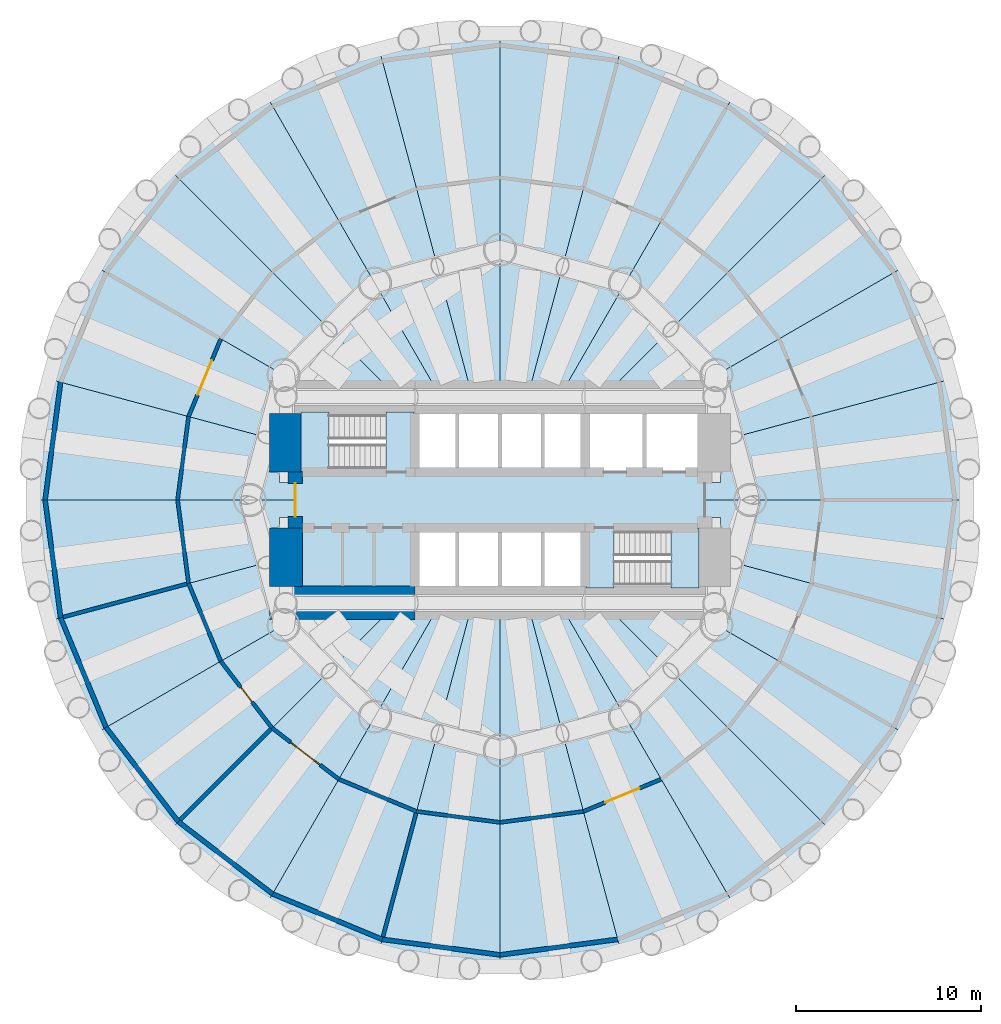
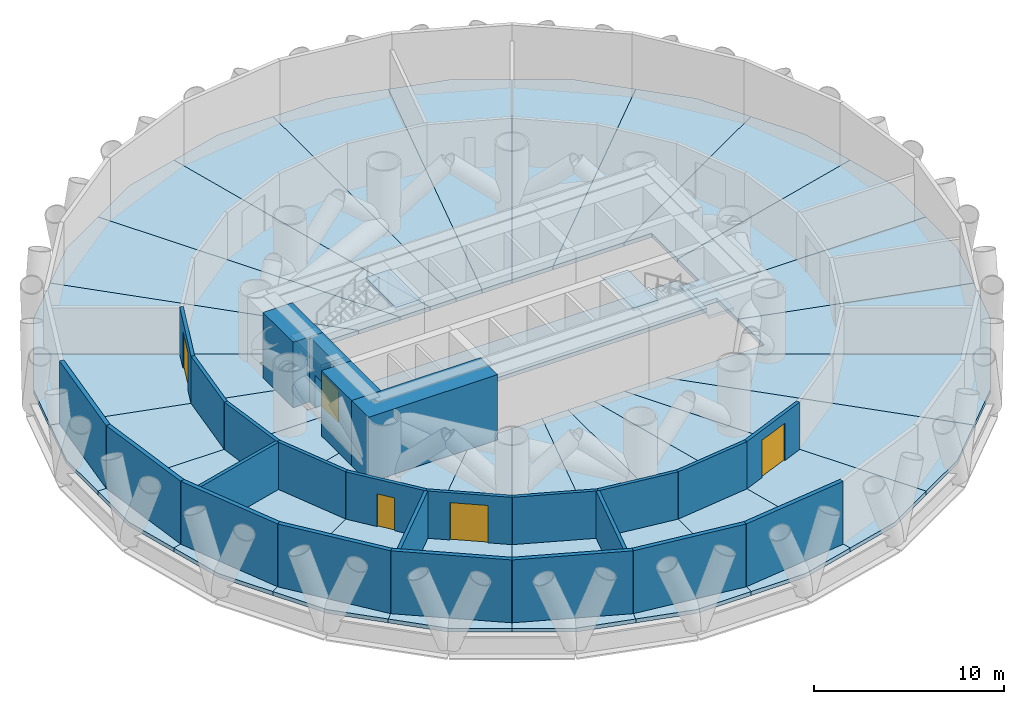
# One storey, part 4 of 7: 29 slabs, 25 walls, 5 doors, 5 openings, 2 elements without a shape of their own.
"""IFC4 building model written with IfcOpenShell, lengths in metres."""

from ifc_helpers import new_model, si_unit, direction, frame, frame_2d, origin, place, context, subcontext, project, spatial, polyline, rectangle, outline, extrude, material, layer, layer_set, type_object, element, fill, aggregate, save


model = new_model("IFC4")

# Units and contexts
model_context = context("Model", 3, precision=1e-05, world=origin(), true_north=direction((0.0, 1.0)))
body_context = subcontext(model_context, "Body", "Model", "MODEL_VIEW")
ifc_project = project(units=[si_unit("LENGTHUNIT", "METRE"), si_unit("AREAUNIT", "SQUARE_METRE"), si_unit("VOLUMEUNIT", "CUBIC_METRE"), si_unit("PLANEANGLEUNIT", "RADIAN"), si_unit("MASSUNIT", "GRAM", prefix="KILO")], contexts=[model_context])

# Site, building, storey
site_placement = place(None, origin())
site = spatial("IfcSite", under=ifc_project, at=site_placement, CompositionType="ELEMENT")
building_placement = place(site_placement, origin())
building = spatial("IfcBuilding", under=site, at=building_placement, Name="Qaws Media Tower", CompositionType="ELEMENT")
storey_placement = place(building_placement, frame((0.0, 0.0, 101.60009765625)))
storey = spatial("IfcBuildingStorey", under=building, at=storey_placement, Name="L22", CompositionType="ELEMENT", Elevation=101.60009765625)

# Slabs
ifc_material_1 = material(Name="Concrete C40/50", Category="concrete")
ifc_layer_1 = layer(ifc_material_1, 0.25)
ifc_layer_set_1 = layer_set([ifc_layer_1], Name="Plant floor slab 250")
slab_type_1 = type_object("IfcSlabType", Name="Plant floor slab 250", PredefinedType="FLOOR", material=ifc_layer_set_1)
slab_1_placement = place(storey_placement, frame((0.0, 0.0, -0.25)))
element("IfcSlab", 1, at=slab_1_placement, inside=storey, type_object=slab_type_1, Name="S7 core floor slab L22", PredefinedType="FLOOR", context=body_context, shape_type="SweptSolid", body=[
    extrude(outline(polyline([(71.0, 51.5), (71.0, 48.5), (55.39990234375, 48.5), (55.39990234375, 45.0), (49.0, 45.0), (49.0, 51.5), (71.0, 51.5)])), origin(), (0.0, 0.0, 1.0), 0.25),
])
slab_2_placement = place(storey_placement, frame((0.0, 0.0, -0.25)))
element("IfcSlab", 2, at=slab_2_placement, inside=storey, type_object=slab_type_1, Name="S7 floor panel L22 on R01+7.5", PredefinedType="FLOOR", context=body_context, shape_type="SweptSolid", body=[
    extrude(outline(polyline([(85.1826171875, 53.3154296875), (85.1826171875, 50.0), (71.0, 50.0), (71.0, 50.949951171875), (71.909912109375, 50.949951171875), (71.909912109375, 53.19140625), (84.32470703125, 56.517822265625), (85.1826171875, 53.3154296875)])), origin(), (0.0, 0.0, 1.0), 0.25),
])
slab_3_placement = place(storey_placement, frame((0.0, 0.0, -0.25)))
element("IfcSlab", 3, at=slab_3_placement, inside=storey, type_object=slab_type_1, Name="S7 floor panel L22 on R02+7.5", PredefinedType="FLOOR", context=body_context, shape_type="SweptSolid", body=[
    extrude(outline(polyline([(83.466552734375, 59.72021484375), (84.32470703125, 56.517822265625), (71.909912109375, 53.19140625), (71.909912109375, 55.909912109375), (70.236328125, 55.909912109375), (81.808837890625, 62.59130859375), (83.466552734375, 59.72021484375)])), origin(), (0.0, 0.0, 1.0), 0.25),
])
slab_4_placement = place(storey_placement, frame((0.0, 0.0, -0.25)))
element("IfcSlab", 4, at=slab_4_placement, inside=storey, type_object=slab_type_1, Name="S7 floor panel L22 on R03+7.5", PredefinedType="FLOOR", context=body_context, shape_type="SweptSolid", body=[
    extrude(outline(polyline([(80.151123046875, 65.46240234375), (81.808837890625, 62.59130859375), (70.236328125, 55.909912109375), (65.909912109375, 55.909912109375), (77.806884765625, 67.806884765625), (80.151123046875, 65.46240234375)])), origin(), (0.0, 0.0, 1.0), 0.25),
])
slab_5_placement = place(storey_placement, frame((0.0, 0.0, -0.25)))
element("IfcSlab", 5, at=slab_5_placement, inside=storey, type_object=slab_type_1, Name="S7 floor panel L22 on R04+7.5", PredefinedType="FLOOR", context=body_context, shape_type="SweptSolid", body=[
    extrude(outline(polyline([(75.46240234375, 70.151123046875), (77.806884765625, 67.806884765625), (65.909912109375, 55.909912109375), (63.412109375, 55.909912109375), (72.59130859375, 71.808837890625), (75.46240234375, 70.151123046875)])), origin(), (0.0, 0.0, 1.0), 0.25),
])
slab_6_placement = place(storey_placement, frame((0.0, 0.0, -0.25)))
element("IfcSlab", 6, at=slab_6_placement, inside=storey, type_object=slab_type_1, Name="S7 floor panel L22 on R05+7.5", PredefinedType="FLOOR", context=body_context, shape_type="SweptSolid", body=[
    extrude(outline(polyline([(69.72021484375, 73.466552734375), (72.59130859375, 71.808837890625), (63.412109375, 55.909912109375), (61.58349609375, 55.909912109375), (66.517822265625, 74.32470703125), (69.72021484375, 73.466552734375)])), origin(), (0.0, 0.0, 1.0), 0.25),
])
slab_7_placement = place(storey_placement, frame((0.0, 0.0, -0.25)))
element("IfcSlab", 7, at=slab_7_placement, inside=storey, type_object=slab_type_1, Name="S7 floor panel L22 on R06+7.5", PredefinedType="FLOOR", context=body_context, shape_type="SweptSolid", body=[
    extrude(outline(polyline([(63.3154296875, 75.1826171875), (66.517822265625, 74.32470703125), (61.58349609375, 55.909912109375), (60.0, 55.909912109375), (60.0, 75.1826171875), (63.3154296875, 75.1826171875)])), origin(), (0.0, 0.0, 1.0), 0.25),
])
slab_8_placement = place(storey_placement, frame((0.0, 0.0, -0.25)))
element("IfcSlab", 8, at=slab_8_placement, inside=storey, type_object=slab_type_1, Name="S7 floor panel L22 on R07+7.5", PredefinedType="FLOOR", context=body_context, shape_type="SweptSolid", body=[
    extrude(outline(polyline([(56.6845703125, 75.1826171875), (60.0, 75.1826171875), (60.0, 55.909912109375), (58.41650390625, 55.909912109375), (53.482177734375, 74.32470703125), (56.6845703125, 75.1826171875)])), origin(), (0.0, 0.0, 1.0), 0.25),
])
slab_9_placement = place(storey_placement, frame((0.0, 0.0, -0.25)))
element("IfcSlab", 9, at=slab_9_placement, inside=storey, type_object=slab_type_1, Name="S7 floor panel L22 on R08+7.5", PredefinedType="FLOOR", context=body_context, shape_type="SweptSolid", body=[
    extrude(outline(polyline([(50.27978515625, 73.466552734375), (53.482177734375, 74.32470703125), (58.41650390625, 55.909912109375), (56.587890625, 55.909912109375), (47.40869140625, 71.808837890625), (50.27978515625, 73.466552734375)])), origin(), (0.0, 0.0, 1.0), 0.25),
])
slab_10_placement = place(storey_placement, frame((0.0, 0.0, -0.25)))
element("IfcSlab", 10, at=slab_10_placement, inside=storey, type_object=slab_type_1, Name="S7 floor panel L22 on R09+7.5", PredefinedType="FLOOR", context=body_context, shape_type="SweptSolid", body=[
    extrude(outline(polyline([(44.53759765625, 70.151123046875), (47.40869140625, 71.808837890625), (56.587890625, 55.909912109375), (54.090087890625, 55.909912109375), (42.193115234375, 67.806884765625), (44.53759765625, 70.151123046875)])), origin(), (0.0, 0.0, 1.0), 0.25),
])
slab_11_placement = place(storey_placement, frame((0.0, 0.0, -0.25)))
element("IfcSlab", 11, at=slab_11_placement, inside=storey, type_object=slab_type_1, Name="S7 floor panel L22 on R10+7.5", PredefinedType="FLOOR", context=body_context, shape_type="SweptSolid", body=[
    extrude(outline(polyline([(39.848876953125, 65.46240234375), (42.193115234375, 67.806884765625), (54.090087890625, 55.909912109375), (49.763671875, 55.909912109375), (38.191162109375, 62.59130859375), (39.848876953125, 65.46240234375)])), origin(), (0.0, 0.0, 1.0), 0.25),
])
slab_12_placement = place(storey_placement, frame((0.0, 0.0, -0.25)))
element("IfcSlab", 12, at=slab_12_placement, inside=storey, type_object=slab_type_1, Name="S7 floor panel L22 on R11+7.5", PredefinedType="FLOOR", context=body_context, shape_type="SweptSolid", body=[
    extrude(outline(polyline([(36.533447265625, 59.72021484375), (38.191162109375, 62.59130859375), (49.763671875, 55.909912109375), (48.090087890625, 55.909912109375), (48.090087890625, 53.19140625), (35.67529296875, 56.517822265625), (36.533447265625, 59.72021484375)])), origin(), (0.0, 0.0, 1.0), 0.25),
])
slab_13_placement = place(storey_placement, frame((0.0, 0.0, -0.25)))
element("IfcSlab", 13, at=slab_13_placement, inside=storey, type_object=slab_type_1, Name="S7 floor panel L22 on R12+7.5", PredefinedType="FLOOR", context=body_context, shape_type="SweptSolid", body=[
    extrude(outline(polyline([(34.8173828125, 53.3154296875), (35.67529296875, 56.517822265625), (48.090087890625, 53.19140625), (48.090087890625, 50.949951171875), (49.0, 50.949951171875), (49.0, 50.0), (34.8173828125, 50.0), (34.8173828125, 53.3154296875)])), origin(), (0.0, 0.0, 1.0), 0.25),
])
slab_14_placement = place(storey_placement, frame((0.0, 0.0, -0.25)))
element("IfcSlab", 14, at=slab_14_placement, inside=storey, type_object=slab_type_1, Name="S7 floor panel L22 on R13+7.5", PredefinedType="FLOOR", context=body_context, shape_type="SweptSolid", body=[
    extrude(outline(polyline([(34.8173828125, 46.6845703125), (34.8173828125, 50.0), (49.0, 50.0), (49.0, 49.050048828125), (48.090087890625, 49.050048828125), (48.090087890625, 46.80859375), (35.67529296875, 43.482177734375), (34.8173828125, 46.6845703125)])), origin(), (0.0, 0.0, 1.0), 0.25),
])
slab_15_placement = place(storey_placement, frame((0.0, 0.0, -0.25)))
element("IfcSlab", 15, at=slab_15_placement, inside=storey, type_object=slab_type_1, Name="S7 floor panel L22 on R14+7.5", PredefinedType="FLOOR", context=body_context, shape_type="SweptSolid", body=[
    extrude(outline(polyline([(36.533447265625, 40.27978515625), (35.67529296875, 43.482177734375), (48.090087890625, 46.80859375), (48.090087890625, 44.090087890625), (49.763671875, 44.090087890625), (38.191162109375, 37.40869140625), (36.533447265625, 40.27978515625)])), origin(), (0.0, 0.0, 1.0), 0.25),
])
slab_16_placement = place(storey_placement, frame((0.0, 0.0, -0.25)))
element("IfcSlab", 16, at=slab_16_placement, inside=storey, type_object=slab_type_1, Name="S7 floor panel L22 on R15+7.5", PredefinedType="FLOOR", context=body_context, shape_type="SweptSolid", body=[
    extrude(outline(polyline([(39.848876953125, 34.53759765625), (38.191162109375, 37.40869140625), (49.763671875, 44.090087890625), (54.090087890625, 44.090087890625), (42.193115234375, 32.193115234375), (39.848876953125, 34.53759765625)])), origin(), (0.0, 0.0, 1.0), 0.25),
])
slab_17_placement = place(storey_placement, frame((0.0, 0.0, -0.25)))
element("IfcSlab", 17, at=slab_17_placement, inside=storey, type_object=slab_type_1, Name="S7 floor panel L22 on R16+7.5", PredefinedType="FLOOR", context=body_context, shape_type="SweptSolid", body=[
    extrude(outline(polyline([(44.53759765625, 29.848876953125), (42.193115234375, 32.193115234375), (54.090087890625, 44.090087890625), (56.587890625, 44.090087890625), (47.40869140625, 28.191162109375), (44.53759765625, 29.848876953125)])), origin(), (0.0, 0.0, 1.0), 0.25),
])
slab_18_placement = place(storey_placement, frame((0.0, 0.0, -0.25)))
element("IfcSlab", 18, at=slab_18_placement, inside=storey, type_object=slab_type_1, Name="S7 floor panel L22 on R17+7.5", PredefinedType="FLOOR", context=body_context, shape_type="SweptSolid", body=[
    extrude(outline(polyline([(50.27978515625, 26.533447265625), (47.40869140625, 28.191162109375), (56.587890625, 44.090087890625), (58.41650390625, 44.090087890625), (53.482177734375, 25.67529296875), (50.27978515625, 26.533447265625)])), origin(), (0.0, 0.0, 1.0), 0.25),
])
slab_19_placement = place(storey_placement, frame((0.0, 0.0, -0.25)))
element("IfcSlab", 19, at=slab_19_placement, inside=storey, type_object=slab_type_1, Name="S7 floor panel L22 on R18+7.5", PredefinedType="FLOOR", context=body_context, shape_type="SweptSolid", body=[
    extrude(outline(polyline([(56.6845703125, 24.8173828125), (53.482177734375, 25.67529296875), (58.41650390625, 44.090087890625), (60.0, 44.090087890625), (60.0, 24.8173828125), (56.6845703125, 24.8173828125)])), origin(), (0.0, 0.0, 1.0), 0.25),
])
slab_20_placement = place(storey_placement, frame((0.0, 0.0, -0.25)))
element("IfcSlab", 20, at=slab_20_placement, inside=storey, type_object=slab_type_1, Name="S7 floor panel L22 on R19+7.5", PredefinedType="FLOOR", context=body_context, shape_type="SweptSolid", body=[
    extrude(outline(polyline([(63.3154296875, 24.8173828125), (60.0, 24.8173828125), (60.0, 44.090087890625), (61.58349609375, 44.090087890625), (66.517822265625, 25.67529296875), (63.3154296875, 24.8173828125)])), origin(), (0.0, 0.0, 1.0), 0.25),
])
slab_21_placement = place(storey_placement, frame((0.0, 0.0, -0.25)))
element("IfcSlab", 21, at=slab_21_placement, inside=storey, type_object=slab_type_1, Name="S7 floor panel L22 on R20+7.5", PredefinedType="FLOOR", context=body_context, shape_type="SweptSolid", body=[
    extrude(outline(polyline([(69.72021484375, 26.533447265625), (66.517822265625, 25.67529296875), (61.58349609375, 44.090087890625), (63.412109375, 44.090087890625), (72.59130859375, 28.191162109375), (69.72021484375, 26.533447265625)])), origin(), (0.0, 0.0, 1.0), 0.25),
])
slab_22_placement = place(storey_placement, frame((0.0, 0.0, -0.25)))
element("IfcSlab", 22, at=slab_22_placement, inside=storey, type_object=slab_type_1, Name="S7 floor panel L22 on R21+7.5", PredefinedType="FLOOR", context=body_context, shape_type="SweptSolid", body=[
    extrude(outline(polyline([(75.46240234375, 29.848876953125), (72.59130859375, 28.191162109375), (63.412109375, 44.090087890625), (65.909912109375, 44.090087890625), (77.806884765625, 32.193115234375), (75.46240234375, 29.848876953125)])), origin(), (0.0, 0.0, 1.0), 0.25),
])
slab_23_placement = place(storey_placement, frame((0.0, 0.0, -0.25)))
element("IfcSlab", 23, at=slab_23_placement, inside=storey, type_object=slab_type_1, Name="S7 floor panel L22 on R22+7.5", PredefinedType="FLOOR", context=body_context, shape_type="SweptSolid", body=[
    extrude(outline(polyline([(80.151123046875, 34.53759765625), (77.806884765625, 32.193115234375), (65.909912109375, 44.090087890625), (70.236328125, 44.090087890625), (81.808837890625, 37.40869140625), (80.151123046875, 34.53759765625)])), origin(), (0.0, 0.0, 1.0), 0.25),
])
slab_24_placement = place(storey_placement, frame((0.0, 0.0, -0.25)))
element("IfcSlab", 24, at=slab_24_placement, inside=storey, type_object=slab_type_1, Name="S7 floor panel L22 on R23+7.5", PredefinedType="FLOOR", context=body_context, shape_type="SweptSolid", body=[
    extrude(outline(polyline([(81.808837890625, 37.40869140625), (70.236328125, 44.090087890625), (71.909912109375, 44.090087890625), (71.909912109375, 46.80859375), (84.32470703125, 43.482177734375), (83.466552734375, 40.27978515625), (81.808837890625, 37.40869140625)])), origin(), (0.0, 0.0, 1.0), 0.25),
])
slab_25_placement = place(storey_placement, frame((0.0, 0.0, -0.25)))
element("IfcSlab", 25, at=slab_25_placement, inside=storey, type_object=slab_type_1, Name="S7 floor panel L22 on R24+7.5", PredefinedType="FLOOR", context=body_context, shape_type="SweptSolid", body=[
    extrude(outline(polyline([(85.1826171875, 46.6845703125), (84.32470703125, 43.482177734375), (71.909912109375, 46.80859375), (71.909912109375, 49.050048828125), (71.0, 49.050048828125), (71.0, 50.0), (85.1826171875, 50.0), (85.1826171875, 46.6845703125)])), origin(), (0.0, 0.0, 1.0), 0.25),
])

# Stair, slabs
ifc_material_2 = material(Name="Concrete C40/50", Category="concrete")
stair_type = type_object("IfcStairType", Name="Exit stair", PredefinedType="HALF_TURN_STAIR", material=ifc_material_2)
stair_1_placement = place(storey_placement, origin())
stair_1 = element("IfcStair", 26, at=stair_1_placement, inside=storey, type_object=stair_type, Name="S1 exit stair L22", PredefinedType="HALF_TURN_STAIR")
ifc_material_3 = material(Name="Concrete C40/50", Category="concrete")
ifc_layer_2 = layer(ifc_material_3, 0.199951171875)
ifc_layer_set_2 = layer_set([ifc_layer_2], Name="Stair landing 200")
slab_type_2 = type_object("IfcSlabType", Name="Stair landing 200", PredefinedType="LANDING", material=ifc_layer_set_2)
slab_26_placement = place(storey_placement, frame((0.0, 0.0, 1.89990234375)))
slab_26 = element("IfcSlab", 27, at=slab_26_placement, type_object=slab_type_2, Name="S1 landing 1", PredefinedType="LANDING", context=body_context, shape_type="SweptSolid", body=[
    extrude(outline(polyline([(49.25, 51.550048828125), (50.760009765625, 51.550048828125), (50.760009765625, 54.75), (49.25, 54.75), (49.25, 51.550048828125)])), origin(), (0.0, 0.0, 1.0), 0.199951171875),
])
slab_27_placement = place(storey_placement, frame((0.0, 0.0, 4.0)))
slab_27 = element("IfcSlab", 28, at=slab_27_placement, type_object=slab_type_2, Name="S1 landing 2", PredefinedType="LANDING", context=body_context, shape_type="SweptSolid", body=[
    extrude(outline(polyline([(53.840087890625, 51.550048828125), (55.35009765625, 51.550048828125), (55.35009765625, 54.75), (53.840087890625, 54.75), (53.840087890625, 51.550048828125)])), origin(), (0.0, 0.0, 1.0), 0.199951171875),
])
aggregate(stair_1, [slab_26, slab_27])

stair_2_placement = place(storey_placement, origin())
stair_2 = element("IfcStair", 29, at=stair_2_placement, inside=storey, type_object=stair_type, Name="S2 exit stair L22", PredefinedType="HALF_TURN_STAIR")
slab_28_placement = place(storey_placement, frame((0.0, 0.0, 1.89990234375)))
slab_28 = element("IfcSlab", 30, at=slab_28_placement, type_object=slab_type_2, Name="S2 landing 1", PredefinedType="LANDING", context=body_context, shape_type="SweptSolid", body=[
    extrude(outline(polyline([(69.239990234375, 45.25), (70.75, 45.25), (70.75, 48.449951171875), (69.239990234375, 48.449951171875), (69.239990234375, 45.25)])), origin(), (0.0, 0.0, 1.0), 0.199951171875),
])
slab_29_placement = place(storey_placement, frame((0.0, 0.0, 4.0)))
slab_29 = element("IfcSlab", 31, at=slab_29_placement, type_object=slab_type_2, Name="S2 landing 2", PredefinedType="LANDING", context=body_context, shape_type="SweptSolid", body=[
    extrude(outline(polyline([(64.64990234375, 45.25), (66.159912109375, 45.25), (66.159912109375, 48.449951171875), (64.64990234375, 48.449951171875), (64.64990234375, 45.25)])), origin(), (0.0, 0.0, 1.0), 0.199951171875),
])
aggregate(stair_2, [slab_28, slab_29])

# Walls
ifc_material_4 = material(Name="Concrete C60/75", Category="concrete")
ifc_layer_3 = layer(ifc_material_4, 1.800048828125)
ifc_layer_set_3 = layer_set([ifc_layer_3], Name="Core wall 1800")
wall_type_1 = type_object("IfcWallType", Name="Core wall 1800", PredefinedType="SHEAR", material=ifc_layer_set_3)
wall_1_placement = place(storey_placement, frame((47.550048828125, 44.449951171875, 0.0), z_axis=(0.0, 0.0, 1.0), x_axis=(1.0, 0.0, 0.0)))
element("IfcWall", 32, at=wall_1_placement, inside=storey, type_object=wall_type_1, Name="W416 SW11 core wall SW L22", PredefinedType="SHEAR", context=body_context, shape_type="SweptSolid", body=[
    extrude(rectangle(XDim=7.849853515625, YDim=1.800048828125, at=frame_2d((3.9248046875, 0.0))), origin(), (0.0, 0.0, 1.0), 4.199951171875),
])
for number, where, z_axis, x_axis, name in (
    (33, (48.449951171875, 45.330078125, 0.0), (0.0, 0.0, 1.0), (0.0, 1.0, 0.0), "W418 SW11 core wall WS L22"),
    (34, (48.449951171875, 51.5, 0.0), (0.0, 0.0, 1.0), (0.0, 1.0, 0.0), "W419 SW11 core wall WN L22"),
):
    element("IfcWall", number, at=place(storey_placement, frame(where, z_axis=z_axis, x_axis=x_axis)), inside=storey, type_object=wall_type_1, Name=name, PredefinedType="SHEAR", context=body_context, shape_type="SweptSolid", body=[
        extrude(rectangle(XDim=3.169921875, YDim=1.800048828125, at=frame_2d((1.5849609375, 0.0))), origin(), (0.0, 0.0, 1.0), 4.199951171875),
    ])

# Wall, opening, door
ifc_material_5 = material(Name="Concrete C60/75", Category="concrete")
ifc_layer_4 = layer(ifc_material_5, 0.800048828125)
ifc_layer_set_4 = layer_set([ifc_layer_4], Name="Core wall 800")
wall_type_2 = type_object("IfcWallType", Name="Core wall 800", PredefinedType="SHEAR", material=ifc_layer_set_4)
wall_2_placement = place(storey_placement, frame((48.949951171875, 48.5, 0.0), z_axis=(0.0, 0.0, 1.0), x_axis=(0.0, 1.0, 0.0)))
wall_2 = element("IfcWall", 35, at=wall_2_placement, inside=storey, type_object=wall_type_2, Name="W438 SW1 core wall W L22", PredefinedType="SHEAR", context=body_context, shape_type="SweptSolid", body=[
    extrude(rectangle(XDim=3.0, YDim=0.800048828125, at=frame_2d((1.5, 0.0))), origin(), (0.0, 0.0, 1.0), 4.199951171875),
])
opening_1_placement = place(wall_2_placement, frame((0.60009765625, 0.0, 0.0)))
opening_1 = element("IfcOpeningElement", 36, at=opening_1_placement, cuts=wall_2, Name="Opening D2", PredefinedType="OPENING", context=body_context, shape_type="SweptSolid", body=[
    extrude(rectangle(XDim=1.800048828125, YDim=2.10009765625, at=frame_2d((0.89990234375, 1.050048828125))), frame((0.0, 0.409912109375, 0.0), z_axis=(0.0, -1.0, 0.0), x_axis=(1.0, 0.0, 0.0)), (0.0, 0.0, 1.0), 0.820068359375),
])
ifc_material_6 = material(Name="Steel and glass, fire rated", Category="steel")
door_type_1 = type_object("IfcDoorType", Name="Lobby door pair 1800 FD60", OperationType="DOUBLE_DOOR_DOUBLE_SWING", PredefinedType="DOOR", material=ifc_material_6)
door_1_placement = place(opening_1_placement, origin())
door_1 = element("IfcDoor", 37, at=door_1_placement, inside=storey, type_object=door_type_1, Name="D2 core lobby door W L22 in wall W438", OperationType="DOUBLE_DOOR_DOUBLE_SWING", OverallHeight=2.10009765625, OverallWidth=1.800048828125, PredefinedType="DOOR", context=body_context, shape_type="SweptSolid", body=[
    extrude(rectangle(XDim=1.800048828125, YDim=2.10009765625, at=frame_2d((0.89990234375, 1.050048828125))), frame((0.0, 0.02490234375, 0.0), z_axis=(0.0, -1.0, 0.0), x_axis=(1.0, 0.0, 0.0)), (0.0, 0.0, 1.0), 0.050048828125),
])
fill(opening_1, door_1)

# Walls
ifc_material_7 = material(Name="Precast concrete louvre panels", Category="concrete")
ifc_layer_5 = layer(ifc_material_7, 0.25)
ifc_layer_set_5 = layer_set([ifc_layer_5], Name="Crown louvre wall 250")
wall_type_3 = type_object("IfcWallType", Name="Crown louvre wall 250", PredefinedType="SOLIDWALL", material=ifc_layer_set_5)
for number, where, z_axis, x_axis, name in (
    (38, (36.28662109375, 56.35400390625, 0.0), (0.0, 0.0, 1.0), (-0.130549112351, -0.991441843612, 0.0), "W444 EW3 louvre wall L22-12"),
    (39, (35.449951171875, 50.0, 0.0), (0.0, 0.0, 1.0), (0.130549112351, -0.991441843612, 0.0), "W442 EW3 louvre wall L22-13"),
):
    element("IfcWall", number, at=place(storey_placement, frame(where, z_axis=z_axis, x_axis=x_axis)), inside=storey, type_object=wall_type_3, Name=name, PredefinedType="SOLIDWALL", context=body_context, shape_type="SweptSolid", body=[
        extrude(rectangle(XDim=6.408935546875, YDim=0.25, at=frame_2d((3.20458984375, 0.0))), origin(), (0.0, 0.0, 1.0), 4.039794921875),
    ])
wall_3_placement = place(storey_placement, frame((36.28662109375, 43.64599609375, 0.0), z_axis=(0.0, 0.0, 1.0), x_axis=(0.382666936286, -0.923886365238, 0.0)))
element("IfcWall", 40, at=wall_3_placement, inside=storey, type_object=wall_type_3, Name="W443 EW3 louvre wall L22-14", PredefinedType="SOLIDWALL", context=body_context, shape_type="SweptSolid", body=[
    extrude(rectangle(XDim=6.40869140625, YDim=0.25, at=frame_2d((3.204345703125, 0.0))), origin(), (0.0, 0.0, 1.0), 4.039794921875),
])
for number, where, z_axis, x_axis, name in (
    (41, (38.739013671875, 37.72509765625, 0.0), (0.0, 0.0, 1.0), (0.608776969285, -0.793341415576, 0.0), "W445 EW3 louvre wall L22-15"),
    (42, (42.640625, 32.640625, 0.0), (0.0, 0.0, 1.0), (0.793341415576, -0.608776969285, 0.0), "W447 EW3 louvre wall L22-16"),
):
    element("IfcWall", number, at=place(storey_placement, frame(where, z_axis=z_axis, x_axis=x_axis)), inside=storey, type_object=wall_type_3, Name=name, PredefinedType="SOLIDWALL", context=body_context, shape_type="SweptSolid", body=[
        extrude(rectangle(XDim=6.408935546875, YDim=0.25, at=frame_2d((3.20458984375, 0.0))), origin(), (0.0, 0.0, 1.0), 4.039794921875),
    ])
wall_4_placement = place(storey_placement, frame((47.72509765625, 28.739013671875, 0.0), z_axis=(0.0, 0.0, 1.0), x_axis=(0.923886365238, -0.382666936286, 0.0)))
element("IfcWall", 43, at=wall_4_placement, inside=storey, type_object=wall_type_3, Name="W449 EW3 louvre wall L22-17", PredefinedType="SOLIDWALL", context=body_context, shape_type="SweptSolid", body=[
    extrude(rectangle(XDim=6.40869140625, YDim=0.25, at=frame_2d((3.204345703125, 0.0))), origin(), (0.0, 0.0, 1.0), 4.039794921875),
])
for number, where, z_axis, x_axis, name in (
    (44, (53.64599609375, 26.28662109375, 0.0), (0.0, 0.0, 1.0), (0.991441843612, -0.130549112351, 0.0), "W451 EW3 louvre wall L22-18"),
    (45, (60.0, 25.449951171875, 0.0), (0.0, 0.0, 1.0), (0.991441843612, 0.130549112351, 0.0), "W453 EW3 louvre wall L22-19"),
):
    element("IfcWall", number, at=place(storey_placement, frame(where, z_axis=z_axis, x_axis=x_axis)), inside=storey, type_object=wall_type_3, Name=name, PredefinedType="SOLIDWALL", context=body_context, shape_type="SweptSolid", body=[
        extrude(rectangle(XDim=6.408935546875, YDim=0.25, at=frame_2d((3.20458984375, 0.0))), origin(), (0.0, 0.0, 1.0), 4.039794921875),
    ])
ifc_material_8 = material(Name="Gypsum board on galvanised metal studs, acoustic double stud, deflection head", Category="gypsum")
ifc_layer_6 = layer(ifc_material_8, 0.199951171875)
ifc_layer_set_6 = layer_set([ifc_layer_6], Name="Room partition 200")
wall_type_4 = type_object("IfcWallType", Name="Room partition 200", PredefinedType="PARTITIONING", material=ifc_layer_set_6)
for number, where, z_axis, x_axis, name in (
    (46, (44.93115234375, 41.300048828125, 0.0), (0.0, 0.0, 1.0), (-0.382687243654, 0.923877953815, 0.0), "W1172 IW3 partition L22"),
    (47, (43.19287109375, 45.49658203125, 0.0), (0.0, 0.0, 1.0), (-0.130501784914, 0.991448074351, 0.0), "W1170 IW3 partition L22"),
    (48, (42.60009765625, 50.0, 0.0), (0.0, 0.0, 1.0), (0.130501784914, 0.991448074351, 0.0), "W1168 IW3 partition L22"),
):
    element("IfcWall", number, at=place(storey_placement, frame(where, z_axis=z_axis, x_axis=x_axis)), inside=storey, type_object=wall_type_4, Name=name, PredefinedType="PARTITIONING", context=body_context, shape_type="SweptSolid", body=[
        extrude(rectangle(XDim=4.542236328125, YDim=0.199951171875, at=frame_2d((2.27099609375, 0.0))), origin(), (0.0, 0.0, 1.0), 3.039794921875),
    ])

# Wall, opening, door
wall_5_placement = place(storey_placement, frame((43.19287109375, 54.50341796875, 0.0), z_axis=(0.0, 0.0, 1.0), x_axis=(0.382687243654, 0.923877953815, 0.0)))
wall_5 = element("IfcWall", 49, at=wall_5_placement, inside=storey, type_object=wall_type_4, Name="W1171 IW3 partition L22", PredefinedType="PARTITIONING", context=body_context, shape_type="SweptSolid", body=[
    extrude(rectangle(XDim=4.542236328125, YDim=0.199951171875, at=frame_2d((2.27099609375, 0.0))), origin(), (0.0, 0.0, 1.0), 3.039794921875),
])
opening_2_placement = place(wall_5_placement, frame((1.271240234375, 0.0, 0.0)))
opening_2 = element("IfcOpeningElement", 50, at=opening_2_placement, cuts=wall_5, Name="Opening D19", PredefinedType="OPENING", context=body_context, shape_type="SweptSolid", body=[
    extrude(rectangle(XDim=2.0, YDim=2.39990234375, at=frame_2d((1.0, 1.199951171875))), frame((0.0, 0.10986328125, 0.0), z_axis=(0.0, -1.0, 0.0), x_axis=(1.0, 0.0, 0.0)), (0.0, 0.0, 1.0), 0.219970703125),
])
ifc_material_9 = material(Name="Steel, fire rated, louvred", Category="steel")
door_type_2 = type_object("IfcDoorType", Name="Plant room door pair 2000x2400", OperationType="DOUBLE_DOOR_DOUBLE_SWING", PredefinedType="DOOR", material=ifc_material_9)
door_2_placement = place(opening_2_placement, origin())
door_2 = element("IfcDoor", 51, at=door_2_placement, inside=storey, type_object=door_type_2, Name="D19 Chilled water plant room door L22 in wall W1171", OperationType="DOUBLE_DOOR_DOUBLE_SWING", OverallHeight=2.39990234375, OverallWidth=2.0, PredefinedType="DOOR", context=body_context, shape_type="SweptSolid", body=[
    extrude(rectangle(XDim=2.0, YDim=2.39990234375, at=frame_2d((1.0, 1.199951171875))), frame((0.0, 0.02490234375, 0.0), z_axis=(0.0, -1.0, 0.0), x_axis=(1.0, 0.0, 0.0)), (0.0, 0.0, 1.0), 0.050048828125),
])
fill(opening_2, door_2)

wall_6_placement = place(storey_placement, frame((68.699951171875, 34.93115234375, 0.0), z_axis=(0.0, 0.0, 1.0), x_axis=(-0.923877953815, -0.382687243654, 0.0)))
wall_6 = element("IfcWall", 52, at=wall_6_placement, inside=storey, type_object=wall_type_4, Name="W1188 IW3 partition L22", PredefinedType="PARTITIONING", context=body_context, shape_type="SweptSolid", body=[
    extrude(rectangle(XDim=4.542236328125, YDim=0.199951171875, at=frame_2d((2.27099609375, 0.0))), origin(), (0.0, 0.0, 1.0), 3.039794921875),
])
opening_3_placement = place(wall_6_placement, frame((1.271240234375, 0.0, 0.0)))
opening_3 = element("IfcOpeningElement", 53, at=opening_3_placement, cuts=wall_6, Name="Opening D19", PredefinedType="OPENING", context=body_context, shape_type="SweptSolid", body=[
    extrude(rectangle(XDim=2.0, YDim=2.39990234375, at=frame_2d((1.0, 1.199951171875))), frame((0.0, 0.10986328125, 0.0), z_axis=(0.0, -1.0, 0.0), x_axis=(1.0, 0.0, 0.0)), (0.0, 0.0, 1.0), 0.219970703125),
])
door_3_placement = place(opening_3_placement, origin())
door_3 = element("IfcDoor", 54, at=door_3_placement, inside=storey, type_object=door_type_2, Name="D19 Refuge area (south) door L22 in wall W1188", OperationType="DOUBLE_DOOR_DOUBLE_SWING", OverallHeight=2.39990234375, OverallWidth=2.0, PredefinedType="DOOR", context=body_context, shape_type="SweptSolid", body=[
    extrude(rectangle(XDim=2.0, YDim=2.39990234375, at=frame_2d((1.0, 1.199951171875))), frame((0.0, 0.02490234375, 0.0), z_axis=(0.0, -1.0, 0.0), x_axis=(1.0, 0.0, 0.0)), (0.0, 0.0, 1.0), 0.050048828125),
])
fill(opening_3, door_3)

# Walls
for number, where, z_axis, x_axis, name in (
    (55, (64.50341796875, 33.19287109375, 0.0), (0.0, 0.0, 1.0), (-0.991448074351, -0.130501784914, 0.0), "W1185 IW3 partition L22"),
    (56, (60.0, 32.60009765625, 0.0), (0.0, 0.0, 1.0), (-0.991448074351, 0.130501784914, 0.0), "W1183 IW3 partition L22"),
    (57, (55.49658203125, 33.19287109375, 0.0), (0.0, 0.0, 1.0), (-0.923877953815, 0.382687243654, 0.0), "W1180 IW3 partition L22"),
):
    element("IfcWall", number, at=place(storey_placement, frame(where, z_axis=z_axis, x_axis=x_axis)), inside=storey, type_object=wall_type_4, Name=name, PredefinedType="PARTITIONING", context=body_context, shape_type="SweptSolid", body=[
        extrude(rectangle(XDim=4.542236328125, YDim=0.199951171875, at=frame_2d((2.27099609375, 0.0))), origin(), (0.0, 0.0, 1.0), 3.039794921875),
    ])

# Wall, opening, door
wall_7_placement = place(storey_placement, frame((51.300048828125, 34.93115234375, 0.0), z_axis=(0.0, 0.0, 1.0), x_axis=(-0.793366673958, 0.608744051842, 0.0)))
wall_7 = element("IfcWall", 58, at=wall_7_placement, inside=storey, type_object=wall_type_4, Name="W1178 IW3 partition L22", PredefinedType="PARTITIONING", context=body_context, shape_type="SweptSolid", body=[
    extrude(rectangle(XDim=4.54248046875, YDim=0.199951171875, at=frame_2d((2.271240234375, 0.0))), origin(), (0.0, 0.0, 1.0), 3.039794921875),
])
opening_4_placement = place(wall_7_placement, frame((1.271240234375, 0.0, 0.0)))
opening_4 = element("IfcOpeningElement", 59, at=opening_4_placement, cuts=wall_7, Name="Opening D19", PredefinedType="OPENING", context=body_context, shape_type="SweptSolid", body=[
    extrude(rectangle(XDim=2.0, YDim=2.39990234375, at=frame_2d((1.0, 1.199951171875))), frame((0.0, 0.10986328125, 0.0), z_axis=(0.0, -1.0, 0.0), x_axis=(1.0, 0.0, 0.0)), (0.0, 0.0, 1.0), 0.219970703125),
])
door_4_placement = place(opening_4_placement, origin())
door_4 = element("IfcDoor", 60, at=door_4_placement, inside=storey, type_object=door_type_2, Name="D19 Sprinkler pump room door L22 in wall W1178", OperationType="DOUBLE_DOOR_DOUBLE_SWING", OverallHeight=2.39990234375, OverallWidth=2.0, PredefinedType="DOOR", context=body_context, shape_type="SweptSolid", body=[
    extrude(rectangle(XDim=2.0, YDim=2.39990234375, at=frame_2d((1.0, 1.199951171875))), frame((0.0, 0.02490234375, 0.0), z_axis=(0.0, -1.0, 0.0), x_axis=(1.0, 0.0, 0.0)), (0.0, 0.0, 1.0), 0.050048828125),
])
fill(opening_4, door_4)

wall_8_placement = place(storey_placement, frame((47.6962890625, 37.6962890625, 0.0), z_axis=(0.0, 0.0, 1.0), x_axis=(-0.608744051842, 0.793366673958, 0.0)))
wall_8 = element("IfcWall", 61, at=wall_8_placement, inside=storey, type_object=wall_type_4, Name="W1176 IW3 partition L22", PredefinedType="PARTITIONING", context=body_context, shape_type="SweptSolid", body=[
    extrude(rectangle(XDim=4.54248046875, YDim=0.199951171875, at=frame_2d((2.271240234375, 0.0))), origin(), (0.0, 0.0, 1.0), 3.039794921875),
])
opening_5_placement = place(wall_8_placement, frame((1.771240234375, 0.0, 0.0)))
opening_5 = element("IfcOpeningElement", 62, at=opening_5_placement, cuts=wall_8, Name="Opening D5", PredefinedType="OPENING", context=body_context, shape_type="SweptSolid", body=[
    extrude(rectangle(XDim=1.0, YDim=2.10009765625, at=frame_2d((0.5, 1.050048828125))), frame((0.0, 0.10986328125, 0.0), z_axis=(0.0, -1.0, 0.0), x_axis=(1.0, 0.0, 0.0)), (0.0, 0.0, 1.0), 0.219970703125),
])
ifc_material_10 = material(Name="Timber veneered, acoustic seal", Category="wood")
door_type_3 = type_object("IfcDoorType", Name="Room door 1000", OperationType="SINGLE_SWING_LEFT", PredefinedType="DOOR", material=ifc_material_10)
door_5_placement = place(opening_5_placement, origin())
door_5 = element("IfcDoor", 63, at=door_5_placement, inside=storey, type_object=door_type_3, Name="D5 Electrical switch room door L22 in wall W1176", OperationType="SINGLE_SWING_LEFT", OverallHeight=2.10009765625, OverallWidth=1.0, PredefinedType="DOOR", context=body_context, shape_type="SweptSolid", body=[
    extrude(rectangle(XDim=1.0, YDim=2.10009765625, at=frame_2d((0.5, 1.050048828125))), frame((0.0, 0.02490234375, 0.0), z_axis=(0.0, -1.0, 0.0), x_axis=(1.0, 0.0, 0.0)), (0.0, 0.0, 1.0), 0.050048828125),
])
fill(opening_5, door_5)

# Walls
wall_9_placement = place(storey_placement, frame((43.19287109375, 45.49658203125, 0.0), z_axis=(0.0, 0.0, 1.0), x_axis=(-0.965927672281, -0.258812155669, 0.0)))
element("IfcWall", 64, at=wall_9_placement, inside=storey, type_object=wall_type_4, Name="W1169 IW3 partition L22", PredefinedType="PARTITIONING", context=body_context, shape_type="SweptSolid", body=[
    extrude(rectangle(XDim=7.005126953125, YDim=0.199951171875, at=frame_2d((3.50244140625, 0.0))), origin(), (0.0, 0.0, 1.0), 3.039794921875),
])
wall_10_placement = place(storey_placement, frame((47.6962890625, 37.6962890625, 0.0), z_axis=(0.0, 0.0, 1.0), x_axis=(-0.707106781187, -0.707106781187, 0.0)))
element("IfcWall", 65, at=wall_10_placement, inside=storey, type_object=wall_type_4, Name="W1175 IW3 partition L22", PredefinedType="PARTITIONING", context=body_context, shape_type="SweptSolid", body=[
    extrude(rectangle(XDim=7.0048828125, YDim=0.199951171875, at=frame_2d((3.50244140625, 0.0))), origin(), (0.0, 0.0, 1.0), 3.039794921875),
])
wall_11_placement = place(storey_placement, frame((55.49658203125, 33.19287109375, 0.0), z_axis=(0.0, 0.0, 1.0), x_axis=(-0.258812155669, -0.965927672281, 0.0)))
element("IfcWall", 66, at=wall_11_placement, inside=storey, type_object=wall_type_4, Name="W1181 IW3 partition L22", PredefinedType="PARTITIONING", context=body_context, shape_type="SweptSolid", body=[
    extrude(rectangle(XDim=7.005126953125, YDim=0.199951171875, at=frame_2d((3.50244140625, 0.0))), origin(), (0.0, 0.0, 1.0), 3.039794921875),
])

save(model, "model.ifc")
